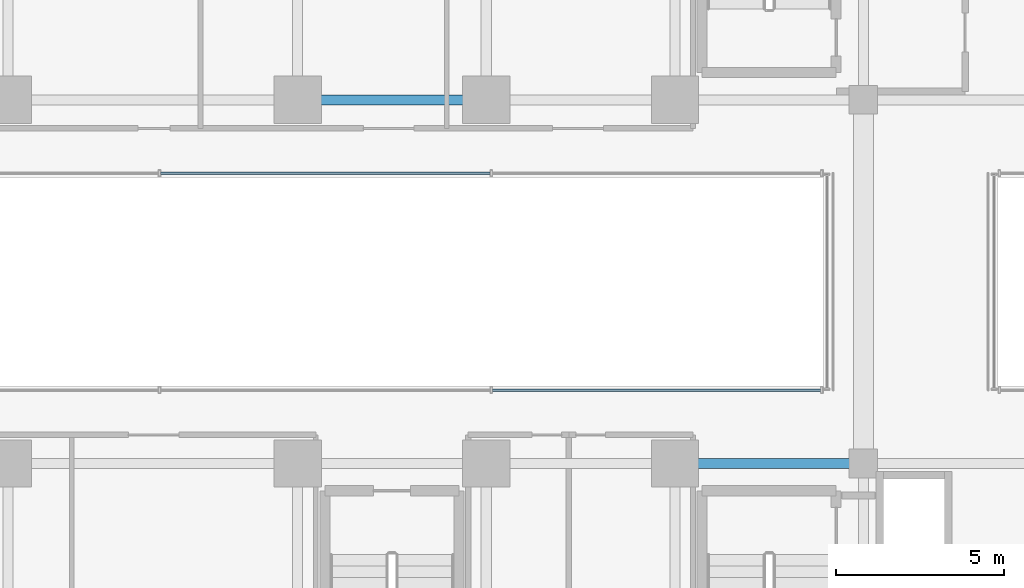
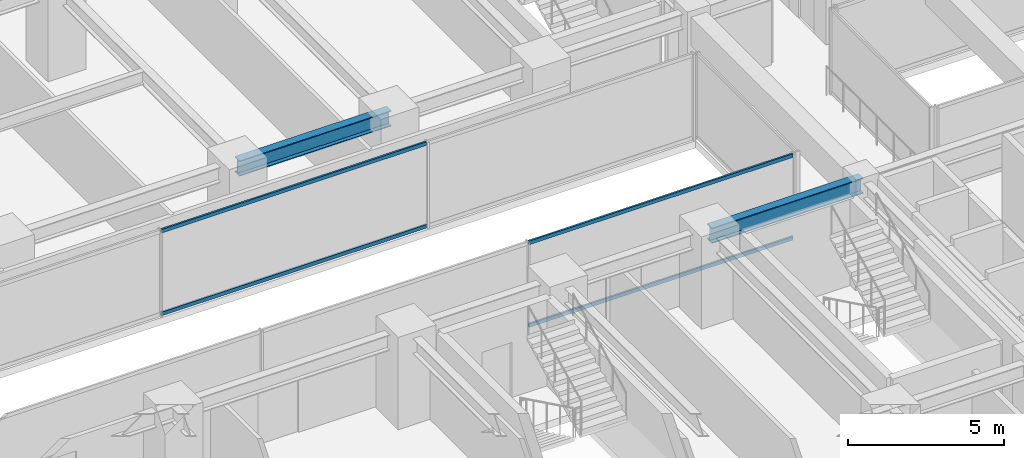
# One storey, part 12 of 41: 4 members, 2 beams, 2 elements without a shape of their own.
"""IFC4 building model written with IfcOpenShell, lengths in metres."""

from ifc_helpers import new_model, si_unit, direction, frame, origin, origin_2d, place, context, subcontext, project, spatial, hollow_rectangle, i_section, extrude, source, transform, mapped, material, material_profile, profile_set, type_object, element, aggregate, save


model = new_model("IFC4")

# Units and contexts
model_context = context("Model", 3, precision=1e-05, world=origin(), true_north=direction((0.0, 1.0)))
body_context = subcontext(model_context, "Body", "Model", "MODEL_VIEW")
ifc_project = project(units=[si_unit("LENGTHUNIT", "METRE"), si_unit("AREAUNIT", "SQUARE_METRE"), si_unit("VOLUMEUNIT", "CUBIC_METRE"), si_unit("PLANEANGLEUNIT", "RADIAN"), si_unit("MASSUNIT", "GRAM", prefix="KILO")], contexts=[model_context])

# Site, building, storey
site_placement = place(None, origin())
site = spatial("IfcSite", under=ifc_project, at=site_placement, CompositionType="ELEMENT")
building_placement = place(site_placement, origin())
building = spatial("IfcBuilding", under=site, at=building_placement, Name="Nahalor Promenade Grand Hotel", CompositionType="ELEMENT")
storey_placement = place(building_placement, frame((0.0, 0.0, 54.300048828125)))
storey = spatial("IfcBuildingStorey", under=building, at=storey_placement, Name="L12", CompositionType="ELEMENT", Elevation=54.300048828125)

# Beams
ifc_material_1 = material(Name="Steel S355JR", Category="steel")
ifc_material_profile_1 = material_profile(ifc_material_1, i_section(OverallWidth=0.3, OverallDepth=0.6, WebThickness=0.0155, FlangeThickness=0.03, at=origin_2d()), Name="HEB 600")
ifc_profile_set_1 = profile_set([ifc_material_profile_1], Name="Steel S355JR")
beam_type = type_object("IfcBeamType", Name="Beam-Girder-HEB600", PredefinedType="BEAM", material=ifc_profile_set_1)
shared_shape_1 = source(origin(), body_context, "Body", "SweptSolid", [
    extrude(i_section(OverallWidth=0.3, OverallDepth=0.6, WebThickness=0.0155, FlangeThickness=0.03, at=origin_2d()), origin(), (0.0, 0.0, 1.0), 5.599853515625),
])
for number, where, z_axis, x_axis, name in (
    (1, (2.800048828125, -5.39990234375, 3.070068359375), (1.0, 0.0, 0.0), (0.0, 1.0, 0.0), "BM-L12-GX-1-4"),
    (2, (-8.39990234375, 5.39990234375, 3.070068359375), (1.0, 0.0, 0.0), (0.0, 1.0, 0.0), "BM-L12-GX-2-2"),
):
    element("IfcBeam", number, at=place(storey_placement, frame(where, z_axis=z_axis, x_axis=x_axis)), inside=storey, type_object=beam_type, Name=name, PredefinedType="BEAM", context=body_context, shape_type="MappedRepresentation", body=[
        mapped(shared_shape_1, transform((0.0, 0.0, 0.0), scale=1.0)),
    ])

# Curtain wall, members
ifc_material_2 = material(Name="Anodised Bronze Aluminium EN AW-6063 T6", Category="aluminium")
curtain_wall_type = type_object("IfcCurtainWallType", Name="CW3 Elliptical-Void Collar Unitised Curtain Wall", PredefinedType="USERDEFINED", material=ifc_material_2)
curtain_wall_1_placement = place(storey_placement, origin())
curtain_wall_1 = element("IfcCurtainWall", 3, at=curtain_wall_1_placement, inside=storey, type_object=curtain_wall_type, Name="L12 Curtain Wall CW-L12-VOID-WS1", ObjectType="UNITISED_CURTAIN_WALL", PredefinedType="USERDEFINED")
ifc_material_profile_2 = material_profile(ifc_material_2, hollow_rectangle(XDim=0.07, YDim=0.14, WallThickness=0.004, at=origin_2d()), Name="CWT 70x140x4")
ifc_profile_set_2 = profile_set([ifc_material_profile_2], Name="Anodised Bronze Aluminium EN AW-6063 T6")
member_type = type_object("IfcMemberType", Name="CWT3 Void Collar Transom 70x140", PredefinedType="USERDEFINED", material=ifc_profile_set_2)
shared_shape_2 = source(origin(), body_context, "Body", "SweptSolid", [
    extrude(hollow_rectangle(XDim=0.07, YDim=0.14, WallThickness=0.004, at=origin_2d()), origin(), (0.0, 0.0, 1.0), 9.748291015625),
])
member_1_placement = place(storey_placement, frame((-2.618408203125, -3.219970703125, 0.070068359375), z_axis=(1.0, 0.0, 0.0), x_axis=(0.0, 1.0, 0.0)))
member_1 = element("IfcMember", 4, at=member_1_placement, type_object=member_type, Name="CW-L12-VOID-WS1 Transom 2-0", ObjectType="TRANSOM", PredefinedType="USERDEFINED", context=body_context, shape_type="MappedRepresentation", body=[
    mapped(shared_shape_2, transform((0.0, 0.0, 0.0), scale=1.0)),
])
member_2_placement = place(storey_placement, frame((-2.618408203125, -3.219970703125, 3.300048828125), z_axis=(1.0, 0.0, 0.0), x_axis=(0.0, 1.0, 0.0)))
member_2 = element("IfcMember", 5, at=member_2_placement, type_object=member_type, Name="CW-L12-VOID-WS1 Transom 2-1", ObjectType="TRANSOM", PredefinedType="USERDEFINED", context=body_context, shape_type="MappedRepresentation", body=[
    mapped(shared_shape_2, transform((0.0, 0.0, 0.0), scale=1.0)),
])
aggregate(curtain_wall_1, [member_1, member_2])

curtain_wall_2_placement = place(storey_placement, origin())
curtain_wall_2 = element("IfcCurtainWall", 6, at=curtain_wall_2_placement, inside=storey, type_object=curtain_wall_type, Name="L12 Curtain Wall CW-L12-VOID-WN1", ObjectType="UNITISED_CURTAIN_WALL", PredefinedType="USERDEFINED")
shared_shape_3 = source(origin(), body_context, "Body", "SweptSolid", [
    extrude(hollow_rectangle(XDim=0.07, YDim=0.14, WallThickness=0.004, at=origin_2d()), origin(), (0.0, 0.0, 1.0), 9.783447265625),
])
member_3_placement = place(storey_placement, frame((-12.4716796875, 3.219970703125, 0.070068359375), z_axis=(1.0, 0.0, 0.0), x_axis=(0.0, 1.0, 0.0)))
member_3 = element("IfcMember", 7, at=member_3_placement, type_object=member_type, Name="CW-L12-VOID-WN1 Transom 1-0", ObjectType="TRANSOM", PredefinedType="USERDEFINED", context=body_context, shape_type="MappedRepresentation", body=[
    mapped(shared_shape_3, transform((0.0, 0.0, 0.0), scale=1.0)),
])
member_4_placement = place(storey_placement, frame((-12.4716796875, 3.219970703125, 3.300048828125), z_axis=(1.0, 0.0, 0.0), x_axis=(0.0, 1.0, 0.0)))
member_4 = element("IfcMember", 8, at=member_4_placement, type_object=member_type, Name="CW-L12-VOID-WN1 Transom 1-1", ObjectType="TRANSOM", PredefinedType="USERDEFINED", context=body_context, shape_type="MappedRepresentation", body=[
    mapped(shared_shape_3, transform((0.0, 0.0, 0.0), scale=1.0)),
])
aggregate(curtain_wall_2, [member_3, member_4])

save(model, "model.ifc")
